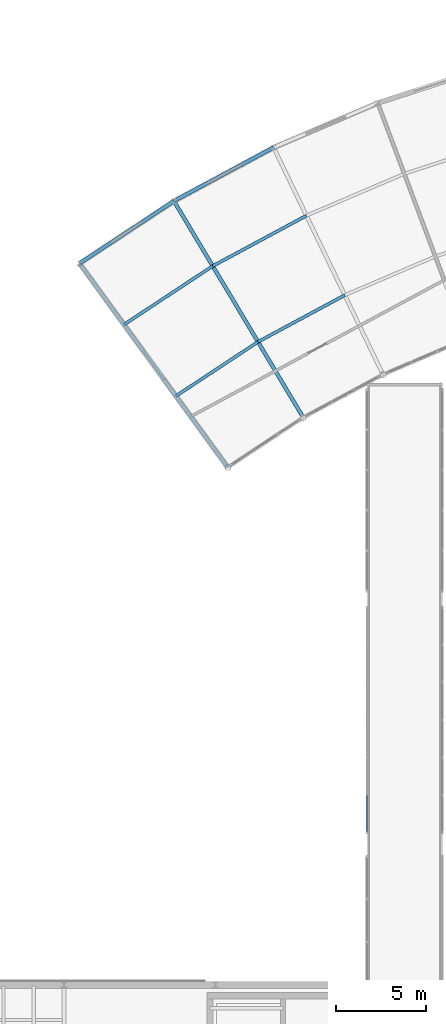
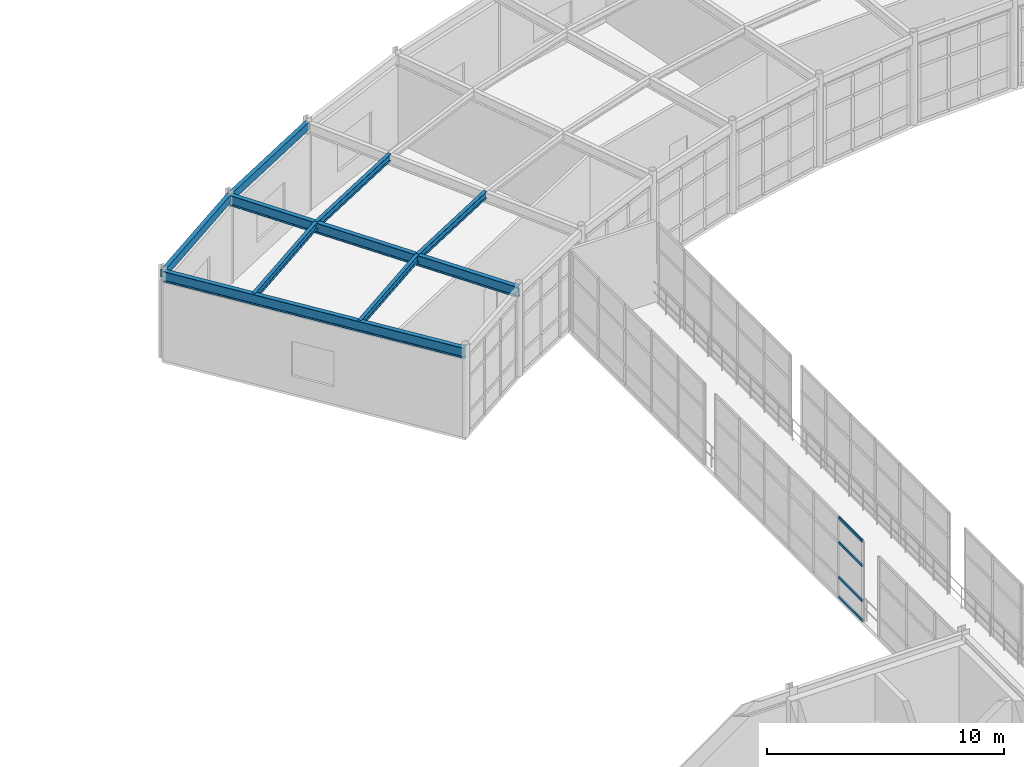
# One storey, part 65 of 116: 8 beams, 4 members, 1 element without a shape of its own.
"""IFC4 building model written with IfcOpenShell, lengths in metres."""

from ifc_helpers import new_model, si_unit, direction, frame, origin, origin_2d, place, context, subcontext, project, spatial, hollow_rectangle, i_section, extrude, material, layer, layer_set, material_profile, profile_set, type_object, element, aggregate, save


model = new_model("IFC4")

# Units and contexts
model_context = context("Model", 3, precision=1e-05, world=origin(), true_north=direction((0.0, 1.0)))
body_context = subcontext(model_context, "Body", "Model", "MODEL_VIEW")
ifc_project = project(units=[si_unit("LENGTHUNIT", "METRE"), si_unit("AREAUNIT", "SQUARE_METRE"), si_unit("VOLUMEUNIT", "CUBIC_METRE"), si_unit("PLANEANGLEUNIT", "RADIAN"), si_unit("MASSUNIT", "GRAM", prefix="KILO")], contexts=[model_context])

# Site, building, storey
site_placement = place(None, origin())
site = spatial("IfcSite", under=ifc_project, at=site_placement, CompositionType="ELEMENT")
building_placement = place(site_placement, origin())
building = spatial("IfcBuilding", under=site, at=building_placement, Name="Selat Folded Stagehouse", CompositionType="ELEMENT")
storey_placement = place(building_placement, frame((0.0, 0.0, 5.39990234375)))
storey = spatial("IfcBuildingStorey", under=building, at=storey_placement, Name="L01", CompositionType="ELEMENT", Elevation=5.39990234375)

# Beams
ifc_material_1 = material(Name="Steel S355", Category="steel")
ifc_material_profile_1 = material_profile(ifc_material_1, i_section(OverallWidth=0.209228515625, OverallDepth=0.533203125, WebThickness=0.010009765625, FlangeThickness=0.015625, FilletRadius=0.0126953125, at=origin_2d()), Name="UKB 533x210x92")
ifc_profile_set_1 = profile_set([ifc_material_profile_1], Name="Steel S355")
beam_type_1 = type_object("IfcBeamType", Name="BM-GIRD-533x210x92", PredefinedType="BEAM", material=ifc_profile_set_1)
for number, where, z_axis, x_axis, name in (
    (1, (59.48388671875, 83.304931640625, 4.303466796875), (-0.587787980643, 0.809015012105, 0.0), (-0.809015012105, -0.587787980643, 0.0), "L01 curved rehearsal radial girder 1"),
    (2, (63.677490234375, 86.072998046875, 4.303466796875), (-0.512889467978, 0.858454654386, 0.0), (-0.858454654386, -0.512889467978, 0.0), "L01 curved rehearsal radial girder 2"),
):
    element("IfcBeam", number, at=place(storey_placement, frame(where, z_axis=z_axis, x_axis=x_axis)), inside=storey, type_object=beam_type_1, Name=name, PredefinedType="BEAM", context=body_context, shape_type="SweptSolid", body=[
        extrude(i_section(OverallWidth=0.209228515625, OverallDepth=0.533203125, WebThickness=0.010009765625, FlangeThickness=0.015625, FilletRadius=0.0126953125, at=origin_2d()), origin(), (0.0, 0.0, 1.0), 14.0),
    ])

# Curtain wall, members
ifc_material_2 = material(Name="Aluminium 6063-T6", Category="aluminium")
ifc_layer = layer(ifc_material_2, 0.175048828125)
ifc_layer_set = layer_set([ifc_layer], Name="Aluminium 6063-T6")
curtain_wall_type = type_object("IfcCurtainWallType", Name="CW-BRG-GLAZ", PredefinedType="NOTDEFINED", material=ifc_layer_set)
curtain_wall_placement = place(storey_placement, origin())
curtain_wall = element("IfcCurtainWall", 3, at=curtain_wall_placement, inside=storey, type_object=curtain_wall_type, Name="L01 curtain wall CW-BRG-04", PredefinedType="NOTDEFINED")
ifc_material_profile_2 = material_profile(ifc_material_2, hollow_rectangle(XDim=0.06494140625, YDim=0.139892578125, WallThickness=0.00390625, at=origin_2d()), Name="ALU 140x65x4.0")
ifc_profile_set_2 = profile_set([ifc_material_profile_2], Name="Aluminium 6063-T6")
member_type = type_object("IfcMemberType", Name="CWM-TRN-140x65", PredefinedType="USERDEFINED", material=ifc_profile_set_2)
member_1_placement = place(storey_placement, frame((67.199951171875, 63.110107421875, 0.03271484375), z_axis=(0.0, 1.0, 0.0), x_axis=(-1.0, 0.0, 0.0)))
member_1 = element("IfcMember", 4, at=member_1_placement, type_object=member_type, Name="CW-07 transom 1.1", ObjectType="TRANSOM", PredefinedType="USERDEFINED", context=body_context, shape_type="SweptSolid", body=[
    extrude(hollow_rectangle(XDim=0.06494140625, YDim=0.139892578125, WallThickness=0.00390625, at=origin_2d()), origin(), (0.0, 0.0, 1.0), 1.9931640625),
])
member_2_placement = place(storey_placement, frame((67.199951171875, 63.110107421875, 1.050048828125), z_axis=(0.0, 1.0, 0.0), x_axis=(-1.0, 0.0, 0.0)))
member_2 = element("IfcMember", 5, at=member_2_placement, type_object=member_type, Name="CW-07 transom 1.2", ObjectType="TRANSOM", PredefinedType="USERDEFINED", context=body_context, shape_type="SweptSolid", body=[
    extrude(hollow_rectangle(XDim=0.06494140625, YDim=0.139892578125, WallThickness=0.00390625, at=origin_2d()), origin(), (0.0, 0.0, 1.0), 1.9931640625),
])
member_3_placement = place(storey_placement, frame((67.199951171875, 63.110107421875, 2.85009765625), z_axis=(0.0, 1.0, 0.0), x_axis=(-1.0, 0.0, 0.0)))
member_3 = element("IfcMember", 6, at=member_3_placement, type_object=member_type, Name="CW-07 transom 1.3", ObjectType="TRANSOM", PredefinedType="USERDEFINED", context=body_context, shape_type="SweptSolid", body=[
    extrude(hollow_rectangle(XDim=0.06494140625, YDim=0.139892578125, WallThickness=0.00390625, at=origin_2d()), origin(), (0.0, 0.0, 1.0), 1.9931640625),
])
member_4_placement = place(storey_placement, frame((67.199951171875, 63.110107421875, 4.11767578125), z_axis=(0.0, 1.0, 0.0), x_axis=(-1.0, 0.0, 0.0)))
member_4 = element("IfcMember", 7, at=member_4_placement, type_object=member_type, Name="CW-07 transom 1.4", ObjectType="TRANSOM", PredefinedType="USERDEFINED", context=body_context, shape_type="SweptSolid", body=[
    extrude(hollow_rectangle(XDim=0.06494140625, YDim=0.139892578125, WallThickness=0.00390625, at=origin_2d()), origin(), (0.0, 0.0, 1.0), 1.9931640625),
])
aggregate(curtain_wall, [member_1, member_2, member_3, member_4])

# Beams
ifc_material_profile_3 = material_profile(ifc_material_1, i_section(OverallWidth=0.17138671875, OverallDepth=0.35498046875, WebThickness=0.00732421875, FlangeThickness=0.011474609375, FilletRadius=0.01025390625, at=origin_2d()), Name="UKB 356x171x51")
ifc_profile_set_3 = profile_set([ifc_material_profile_3], Name="Steel S355")
beam_type_2 = type_object("IfcBeamType", Name="JST-356x171x51", PredefinedType="JOIST", material=ifc_profile_set_3)
beam_1_placement = place(storey_placement, frame((56.60400390625, 87.269287109375, 4.392578125), z_axis=(0.834571198411, 0.550900095102, 0.0), x_axis=(-0.550900095102, 0.834571198411, 0.0)))
element("IfcBeam", 8, at=beam_1_placement, inside=storey, type_object=beam_type_2, Name="L01 curved rehearsal secondary joist 1.1", PredefinedType="JOIST", context=body_context, shape_type="SweptSolid", body=[
    extrude(i_section(OverallWidth=0.17138671875, OverallDepth=0.35498046875, WebThickness=0.00732421875, FlangeThickness=0.011474609375, FilletRadius=0.01025390625, at=origin_2d()), origin(), (0.0, 0.0, 1.0), 5.46435546875),
])
beam_2_placement = place(storey_placement, frame((53.7236328125, 91.2333984375, 4.392578125), z_axis=(0.834598760834, 0.550858337883, 0.0), x_axis=(-0.550858337883, 0.834598760834, 0.0)))
element("IfcBeam", 9, at=beam_2_placement, inside=storey, type_object=beam_type_2, Name="L01 curved rehearsal secondary joist 1.2", PredefinedType="JOIST", context=body_context, shape_type="SweptSolid", body=[
    extrude(i_section(OverallWidth=0.17138671875, OverallDepth=0.35498046875, WebThickness=0.00732421875, FlangeThickness=0.011474609375, FilletRadius=0.01025390625, at=origin_2d()), origin(), (0.0, 0.0, 1.0), 5.904296875),
])
beam_3_placement = place(storey_placement, frame((61.164306640625, 90.279541015625, 4.392578125), z_axis=(0.88061308163, 0.473836048083, 0.0), x_axis=(-0.473836048083, 0.88061308163, 0.0)))
element("IfcBeam", 10, at=beam_3_placement, inside=storey, type_object=beam_type_2, Name="L01 curved rehearsal secondary joist 2.1", PredefinedType="JOIST", context=body_context, shape_type="SweptSolid", body=[
    extrude(i_section(OverallWidth=0.17138671875, OverallDepth=0.35498046875, WebThickness=0.00732421875, FlangeThickness=0.011474609375, FilletRadius=0.01025390625, at=origin_2d()), origin(), (0.0, 0.0, 1.0), 5.464599609375),
])
beam_4_placement = place(storey_placement, frame((58.6513671875, 94.48583984375, 4.392578125), z_axis=(0.880583938492, 0.473890205923, 0.0), x_axis=(-0.473890205923, 0.880583938492, 0.0)))
element("IfcBeam", 11, at=beam_4_placement, inside=storey, type_object=beam_type_2, Name="L01 curved rehearsal secondary joist 2.2", PredefinedType="JOIST", context=body_context, shape_type="SweptSolid", body=[
    extrude(i_section(OverallWidth=0.17138671875, OverallDepth=0.35498046875, WebThickness=0.00732421875, FlangeThickness=0.011474609375, FilletRadius=0.01025390625, at=origin_2d()), origin(), (0.0, 0.0, 1.0), 5.904052734375),
])
ifc_material_profile_4 = material_profile(ifc_material_1, hollow_rectangle(XDim=0.199951171875, YDim=0.39990234375, WallThickness=0.012451171875, at=origin_2d()), Name="RHS 400x200x12.5")
ifc_profile_set_4 = profile_set([ifc_material_profile_4], Name="Steel S355")
beam_type_3 = type_object("IfcBeamType", Name="SPD-EXT-400x200", PredefinedType="SPANDREL", material=ifc_profile_set_4)
beam_5_placement = place(storey_placement, frame((51.2548828125, 94.631103515625, 4.3701171875), z_axis=(0.834582959038, 0.550882278244, 0.0), x_axis=(-0.550882278244, 0.834582959038, 0.0)))
element("IfcBeam", 12, at=beam_5_placement, inside=storey, type_object=beam_type_3, Name="L01 outer curved rehearsal spandrel 1", PredefinedType="SPANDREL", context=body_context, shape_type="SweptSolid", body=[
    extrude(hollow_rectangle(XDim=0.199951171875, YDim=0.39990234375, WallThickness=0.012451171875, at=origin_2d()), origin(), (0.0, 0.0, 1.0), 6.28125),
])
beam_6_placement = place(storey_placement, frame((56.4970703125, 98.09130859375, 4.3701171875), z_axis=(0.880582156138, 0.473893517883, 0.0), x_axis=(-0.473893517883, 0.880582156138, 0.0)))
element("IfcBeam", 13, at=beam_6_placement, inside=storey, type_object=beam_type_3, Name="L01 outer curved rehearsal spandrel 2", PredefinedType="SPANDREL", context=body_context, shape_type="SweptSolid", body=[
    extrude(hollow_rectangle(XDim=0.199951171875, YDim=0.39990234375, WallThickness=0.012451171875, at=origin_2d()), origin(), (0.0, 0.0, 1.0), 6.281005859375),
])

save(model, "model.ifc")
